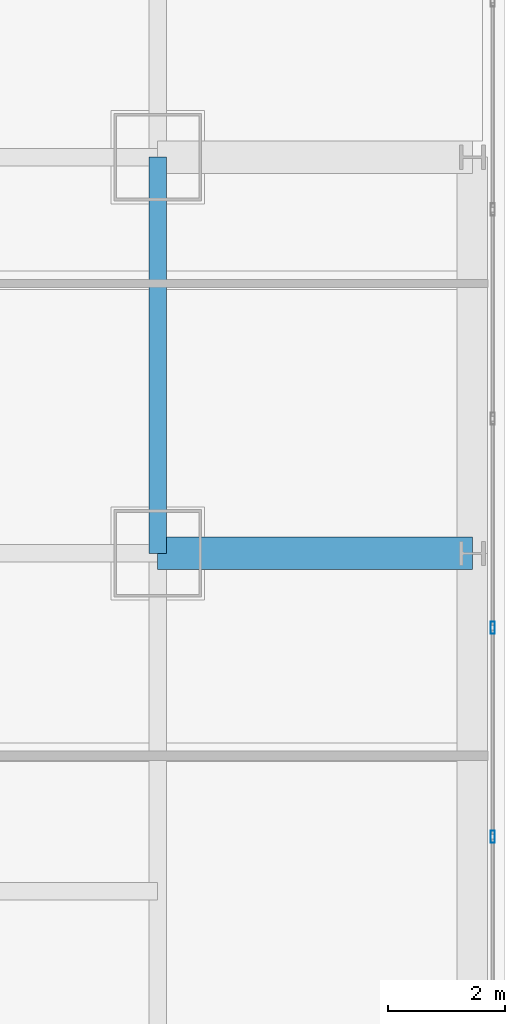
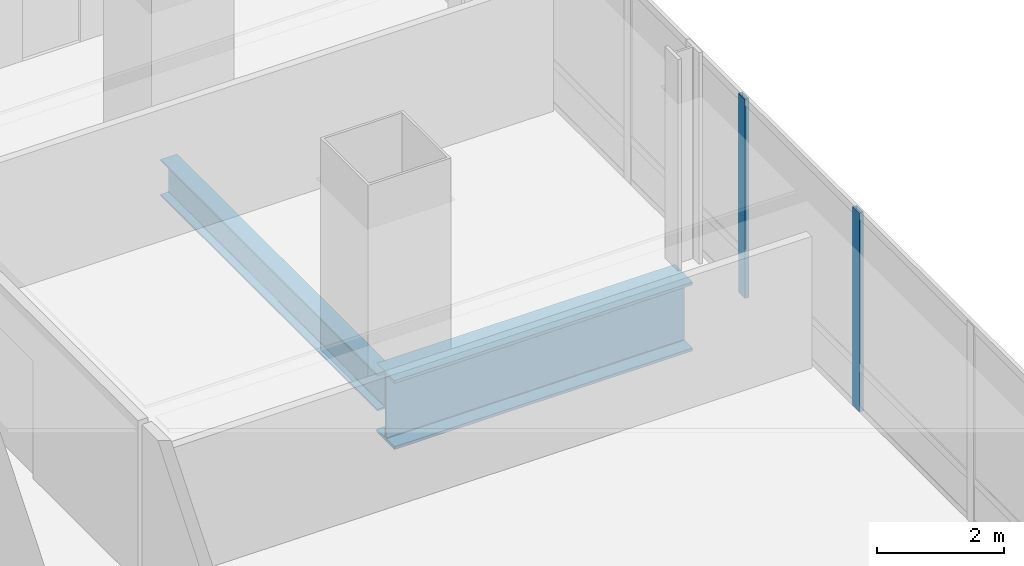
# One storey, part 15 of 35: 2 beams, 2 members, 1 element without a shape of its own.
"""IFC4 building model written with IfcOpenShell, lengths in metres."""

from ifc_helpers import new_model, si_unit, direction, frame, origin, origin_2d, place, context, subcontext, project, spatial, hollow_rectangle, i_section, extrude, material, material_profile, profile_set, type_object, element, aggregate, save


model = new_model("IFC4")

# Units and contexts
model_context = context("Model", 3, precision=1e-05, world=origin(), true_north=direction((0.0, 1.0)))
body_context = subcontext(model_context, "Body", "Model", "MODEL_VIEW")
ifc_project = project(units=[si_unit("LENGTHUNIT", "METRE"), si_unit("AREAUNIT", "SQUARE_METRE"), si_unit("VOLUMEUNIT", "CUBIC_METRE"), si_unit("PLANEANGLEUNIT", "RADIAN"), si_unit("MASSUNIT", "GRAM", prefix="KILO")], contexts=[model_context])

# Site, building, storey
site_placement = place(None, origin())
site = spatial("IfcSite", under=ifc_project, at=site_placement, CompositionType="ELEMENT")
building_placement = place(site_placement, origin())
building = spatial("IfcBuilding", under=site, at=building_placement, Name="Punatoya Terracotta Tower", CompositionType="ELEMENT")
storey_placement = place(building_placement, frame((0.0, 0.0, 113.25)))
storey = spatial("IfcBuildingStorey", under=building, at=storey_placement, Name="L26", CompositionType="ELEMENT", Elevation=113.25)

# Beams
ifc_material_1 = material(Name="Steel S355", Category="steel")
ifc_material_profile_1 = material_profile(ifc_material_1, i_section(OverallWidth=0.300048828125, OverallDepth=0.699951171875, WebThickness=0.01708984375, FlangeThickness=0.031982421875, FilletRadius=0.01806640625, at=origin_2d()))
ifc_profile_set_1 = profile_set([ifc_material_profile_1], Name="Steel S355")
beam_type_1 = type_object("IfcBeamType", Name="BM-PRI-700", PredefinedType="BEAM", material=ifc_profile_set_1)
beam_1_placement = place(storey_placement, frame((19.10009765625, -3.39990234375, -0.590087890625), z_axis=(0.0, 1.0, 0.0), x_axis=(-1.0, 0.0, 0.0)))
element("IfcBeam", 1, at=beam_1_placement, inside=storey, type_object=beam_type_1, Name="BM-L26-RG-E2", PredefinedType="BEAM", context=body_context, shape_type="SweptSolid", body=[
    extrude(i_section(OverallWidth=0.300048828125, OverallDepth=0.699951171875, WebThickness=0.01708984375, FlangeThickness=0.031982421875, FilletRadius=0.01806640625, at=origin_2d()), origin(), (0.0, 0.0, 1.0), 6.7998046875),
])
ifc_material_2 = material(Name="Steel S460", Category="steel")
ifc_material_profile_2 = material_profile(ifc_material_2, i_section(OverallWidth=0.56005859375, OverallDepth=1.320068359375, WebThickness=0.035888671875, FlangeThickness=0.054931640625, FilletRadius=0.01806640625, at=origin_2d()))
ifc_profile_set_2 = profile_set([ifc_material_profile_2], Name="Steel S460")
beam_type_2 = type_object("IfcBeamType", Name="BM-TG-BLK", PredefinedType="BEAM", material=ifc_profile_set_2)
beam_2_placement = place(storey_placement, frame((19.10009765625, -3.39990234375, -0.89990234375), z_axis=(1.0, 0.0, 0.0), x_axis=(0.0, 1.0, 0.0)))
element("IfcBeam", 2, at=beam_2_placement, inside=storey, type_object=beam_type_2, Name="BM-L26-CANT-E2", PredefinedType="BEAM", context=body_context, shape_type="SweptSolid", body=[
    extrude(i_section(OverallWidth=0.56005859375, OverallDepth=1.320068359375, WebThickness=0.035888671875, FlangeThickness=0.054931640625, FilletRadius=0.01806640625, at=origin_2d()), origin(), (0.0, 0.0, 1.0), 5.39990234375),
])

# Curtain wall, members
ifc_material_3 = material(Name="Aluminium 6063-T6 + Double Low-E Glass", Category="aluminium")
curtain_wall_type = type_object("IfcCurtainWallType", Name="CW-M1", PredefinedType="NOTDEFINED", material=ifc_material_3)
curtain_wall_placement = place(storey_placement, origin())
curtain_wall = element("IfcCurtainWall", 3, at=curtain_wall_placement, inside=storey, type_object=curtain_wall_type, Name="L26 Curtain Wall CW-L26-E05-1", PredefinedType="NOTDEFINED")
ifc_material_4 = material(Name="Aluminium 6063-T6", Category="aluminium")
ifc_material_profile_3 = material_profile(ifc_material_4, hollow_rectangle(XDim=0.074951171875, YDim=0.2099609375, WallThickness=0.00439453125, at=origin_2d()))
ifc_profile_set_3 = profile_set([ifc_material_profile_3], Name="Aluminium 6063-T6")
member_type = type_object("IfcMemberType", Name="CW-MUL-M1", PredefinedType="MULLION", material=ifc_profile_set_3)
member_1_placement = place(storey_placement, frame((24.85009765625, -8.261962890625, 0.0), z_axis=(0.0, 0.0, 1.0), x_axis=(1.0, 0.0, 0.0)))
member_1 = element("IfcMember", 4, at=member_1_placement, type_object=member_type, Name="CW-L26-E05-1 Mullion 02", PredefinedType="MULLION", context=body_context, shape_type="SweptSolid", body=[
    extrude(hollow_rectangle(XDim=0.074951171875, YDim=0.2099609375, WallThickness=0.00439453125, at=origin_2d()), origin(), (0.0, 0.0, 1.0), 3.81005859375),
])
member_2_placement = place(storey_placement, frame((24.85009765625, -4.674560546875, 0.0), z_axis=(0.0, 0.0, 1.0), x_axis=(1.0, 0.0, 0.0)))
member_2 = element("IfcMember", 5, at=member_2_placement, type_object=member_type, Name="CW-L26-E05-1 Mullion 03", PredefinedType="MULLION", context=body_context, shape_type="SweptSolid", body=[
    extrude(hollow_rectangle(XDim=0.074951171875, YDim=0.2099609375, WallThickness=0.00439453125, at=origin_2d()), origin(), (0.0, 0.0, 1.0), 3.81005859375),
])
aggregate(curtain_wall, [member_1, member_2])

save(model, "model.ifc")
